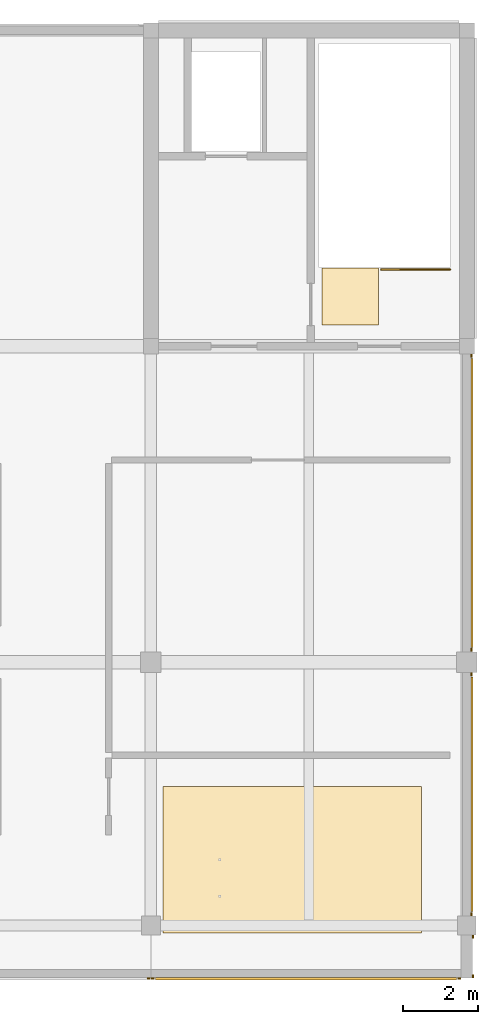
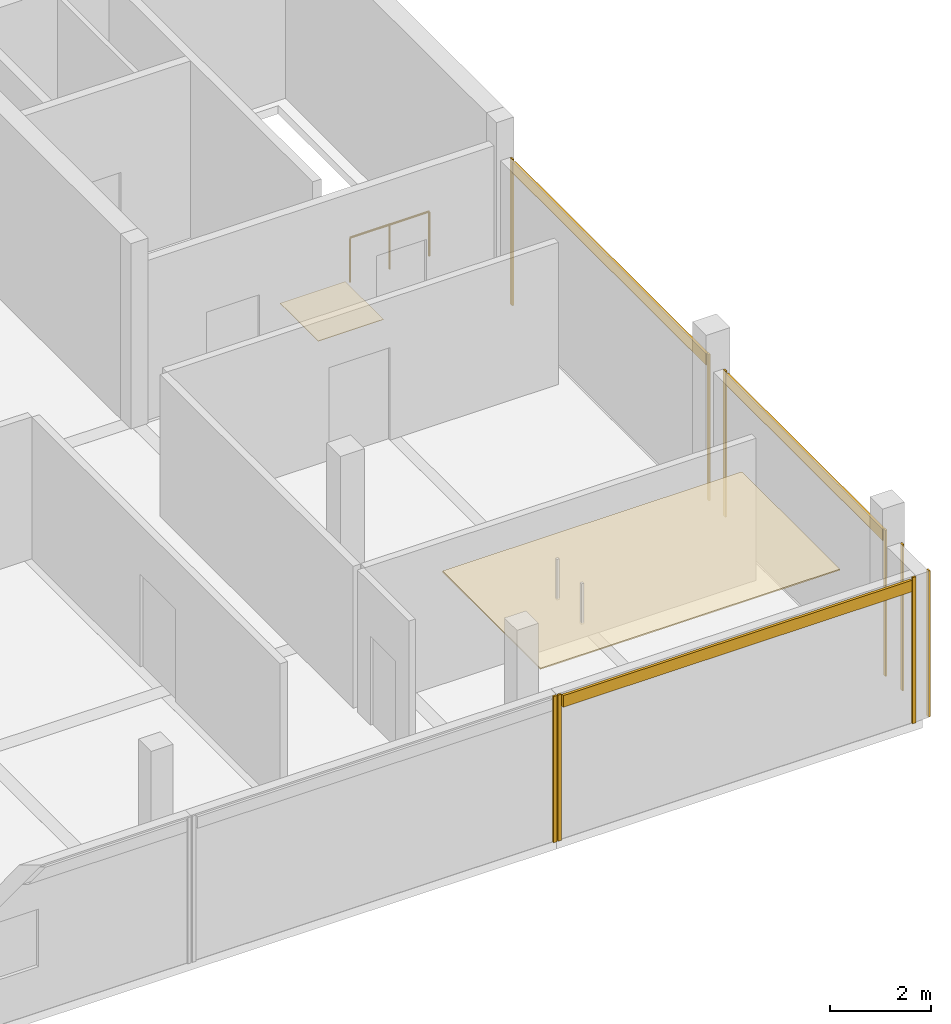
# One storey, part 10 of 11: 14 coverings, 1 railing.
"""IFC4 building model written with IfcOpenShell, lengths in metres."""

from ifc_helpers import new_model, si_unit, direction, frame, origin, origin_2d, place, context, subcontext, project, spatial, polyline, rectangle, circle, outline, extrude, material, layer, layer_set, type_object, element, save


model = new_model("IFC4")

# Units and contexts
model_context = context("Model", 3, precision=1e-05, world=origin(), true_north=direction((0.0, 1.0)))
body_context = subcontext(model_context, "Body", "Model", "MODEL_VIEW")
ifc_project = project(units=[si_unit("LENGTHUNIT", "METRE"), si_unit("AREAUNIT", "SQUARE_METRE"), si_unit("VOLUMEUNIT", "CUBIC_METRE"), si_unit("PLANEANGLEUNIT", "RADIAN"), si_unit("MASSUNIT", "GRAM", prefix="KILO")], contexts=[model_context])

# Site, building, storey
site_placement = place(None, origin())
site = spatial("IfcSite", under=ifc_project, at=site_placement, CompositionType="ELEMENT")
building_placement = place(site_placement, origin())
building = spatial("IfcBuilding", under=site, at=building_placement, Name="Telukmera Botanical Conservatory", CompositionType="ELEMENT")
storey_placement = place(building_placement, frame((0.0, 0.0, 73.5)))
storey = spatial("IfcBuildingStorey", under=building, at=storey_placement, Name="L16", CompositionType="ELEMENT", Elevation=73.5)

# Coverings
ifc_material_1 = material(Name="Mineral fibre acoustic ceiling")
ifc_layer_1 = layer(ifc_material_1, 0.030029296875)
ifc_layer_set_1 = layer_set([ifc_layer_1], Name="Mineral fibre acoustic ceiling")
covering_type_1 = type_object("IfcCoveringType", Name="COV-CEIL-30", PredefinedType="CEILING", material=ifc_layer_set_1)
covering_1_placement = place(storey_placement, frame((0.0, 0.0, 3.320068359375)))
element("IfcCovering", 1, at=covering_1_placement, inside=storey, type_object=covering_type_1, Name="L16 Building Energy Control Studio Suspended Acoustic Ceiling", PredefinedType="CEILING", context=body_context, shape_type="SweptSolid", body=[
    extrude(outline(polyline([(92.719970703125, 10.39990234375), (99.60009765625, 10.39990234375), (99.60009765625, 14.300048828125), (92.719970703125, 14.300048828125), (92.719970703125, 10.39990234375)])), origin(), (0.0, 0.0, 1.0), 0.030029296875),
])
ifc_material_2 = material(Name="Honed granite non-slip flooring", Category="masonry")
ifc_layer_2 = layer(ifc_material_2, 0.011962890625)
ifc_layer_set_2 = layer_set([ifc_layer_2], Name="Honed granite non-slip flooring")
covering_type_2 = type_object("IfcCoveringType", Name="COV-FLR-12", PredefinedType="FLOORING", material=ifc_layer_set_2)
covering_2_placement = place(storey_placement, origin())
element("IfcCovering", 2, at=covering_2_placement, inside=storey, type_object=covering_type_2, Name="L16 ST2 Non-Slip Stair Landing Finish", PredefinedType="FLOORING", context=body_context, shape_type="SweptSolid", body=[
    extrude(outline(polyline([(98.449951171875, 26.570068359375), (98.449951171875, 28.0849609375), (96.949951171875, 28.0849609375), (96.949951171875, 26.570068359375), (98.449951171875, 26.570068359375)])), origin(), (0.0, 0.0, 1.0), 0.011962890625),
])
ifc_material_3 = material(Name="Granite-faced precast concrete C40/50", Category="masonry")
ifc_layer_3 = layer(ifc_material_3, 0.0400390625)
ifc_layer_set_3 = layer_set([ifc_layer_3], Name="Granite-faced precast concrete C40/50")
covering_type_3 = type_object("IfcCoveringType", Name="Granite Precast Column Pier Reveal Casing", PredefinedType="CLADDING", material=ifc_layer_set_3)
for number, where, z_axis, x_axis, name in (
    (3, (100.969970703125, 9.25, 0.0), (0.0, 0.0, 1.0), (0.0, 1.0, 0.0), "Granite Pier Reveal V4:L16:SEC L"),
    (4, (100.969970703125, 10.298095703125, 0.0), (0.0, 0.0, 1.0), (0.0, 1.0, 0.0), "Granite Pier Reveal V4:L16:SEC R"),
    (5, (92.347900390625, 9.18994140625, 0.0), (0.0, 0.0, 1.0), (1.0, 0.0, 0.0), "Granite Pier Reveal V4:L16:S4 R"),
    (6, (92.451904296875, 9.18994140625, 0.0), (0.0, 0.0, 1.0), (1.0, 0.0, 0.0), "Granite Pier Reveal V4:L16:S5 L"),
    (7, (100.597900390625, 9.18994140625, 0.0), (0.0, 0.0, 1.0), (1.0, 0.0, 0.0), "Granite Pier Reveal V4:L16:S5 R"),
    (8, (100.929931640625, 10.902099609375, 0.0), (0.0, 0.0, 1.0), (0.0, 1.0, 0.0), "Granite Pier Reveal V4:L16:E1 L"),
    (9, (100.929931640625, 17.27294921875, 0.0), (0.0, 0.0, 1.0), (0.0, 1.0, 0.0), "Granite Pier Reveal V4:L16:E1 R"),
    (10, (100.929931640625, 17.927001953125, 0.0), (0.0, 0.0, 1.0), (0.0, 1.0, 0.0), "Granite Pier Reveal V4:L16:E2 L"),
    (11, (100.929931640625, 25.748046875, 0.0), (0.0, 0.0, 1.0), (0.0, 1.0, 0.0), "Granite Pier Reveal V4:L16:E2 R"),
):
    element("IfcCovering", number, at=place(storey_placement, frame(where, z_axis=z_axis, x_axis=x_axis)), inside=storey, type_object=covering_type_3, Name=name, PredefinedType="CLADDING", context=body_context, shape_type="SweptSolid", body=[
        extrude(rectangle(XDim=0.080078125, YDim=0.0400390625, at=origin_2d()), origin(), (0.0, 0.0, 1.0), 3.550048828125),
    ])
ifc_material_4 = material(Name="Terracotta-faced precast concrete C40/50", Category="masonry")
ifc_layer_4 = layer(ifc_material_4, 0.06005859375)
ifc_layer_set_4 = layer_set([ifc_layer_4], Name="Terracotta-faced precast concrete C40/50")
covering_type_4 = type_object("IfcCoveringType", Name="Polychrome Terracotta Facade Band Cladding", PredefinedType="CLADDING", material=ifc_layer_set_4)
covering_3_placement = place(storey_placement, frame((96.52490234375, 9.179931640625, 3.22998046875), z_axis=(0.0, 0.0, 1.0), x_axis=(1.0, 0.0, 0.0)))
element("IfcCovering", 12, at=covering_3_placement, inside=storey, type_object=covering_type_4, Name="Polychrome Terracotta Band V4:L16:S5", PredefinedType="CLADDING", context=body_context, shape_type="SweptSolid", body=[
    extrude(rectangle(XDim=8.006103515625, YDim=0.06005859375, at=origin_2d()), origin(), (0.0, 0.0, 1.0), 0.280029296875),
])
covering_4_placement = place(storey_placement, frame((100.93994140625, 14.08740234375, 3.22998046875), z_axis=(0.0, 0.0, 1.0), x_axis=(0.0, 1.0, 0.0)))
element("IfcCovering", 13, at=covering_4_placement, inside=storey, type_object=covering_type_4, Name="Polychrome Terracotta Band V4:L16:E1", PredefinedType="CLADDING", context=body_context, shape_type="SweptSolid", body=[
    extrude(rectangle(XDim=6.23095703125, YDim=0.06005859375, at=origin_2d()), origin(), (0.0, 0.0, 1.0), 0.280029296875),
])
covering_5_placement = place(storey_placement, frame((100.93994140625, 21.83740234375, 3.22998046875), z_axis=(0.0, 0.0, 1.0), x_axis=(0.0, 1.0, 0.0)))
element("IfcCovering", 14, at=covering_5_placement, inside=storey, type_object=covering_type_4, Name="Polychrome Terracotta Band V4:L16:E2", PredefinedType="CLADDING", context=body_context, shape_type="SweptSolid", body=[
    extrude(rectangle(XDim=7.680908203125, YDim=0.06005859375, at=origin_2d()), origin(), (0.0, 0.0, 1.0), 0.280029296875),
])

# Railing
ifc_material_5 = material(Name="Steel S355", Category="steel")
railing_type = type_object("IfcRailingType", Name="RL-GUARD-1100", PredefinedType="GUARDRAIL", material=ifc_material_5)
railing_placement = place(storey_placement, frame((100.35009765625, 28.0400390625, 0.0)))
element("IfcRailing", 15, at=railing_placement, inside=storey, type_object=railing_type, Name="L16 ST2 top well guard 1", PredefinedType="GUARDRAIL", context=body_context, shape_type="SweptSolid", body=[
    extrude(circle(Radius=0.02392578125, at=origin_2d()), frame((0.0, 0.0, 1.076171875), z_axis=(-1.0, 0.0, 0.0), x_axis=(0.0, -1.0, 0.0)), (0.0, 0.0, 1.0), 1.820068359375),
    extrude(circle(Radius=0.02099609375, at=origin_2d()), origin(), (0.0, 0.0, 1.0), 1.052001953125),
    extrude(circle(Radius=0.02099609375, at=origin_2d()), frame((-0.91015625, 0.0, 0.0)), (0.0, 0.0, 1.0), 1.052001953125),
    extrude(circle(Radius=0.02099609375, at=origin_2d()), frame((-1.820068359375, 0.0, 0.0)), (0.0, 0.0, 1.0), 1.052001953125),
])

save(model, "model.ifc")
